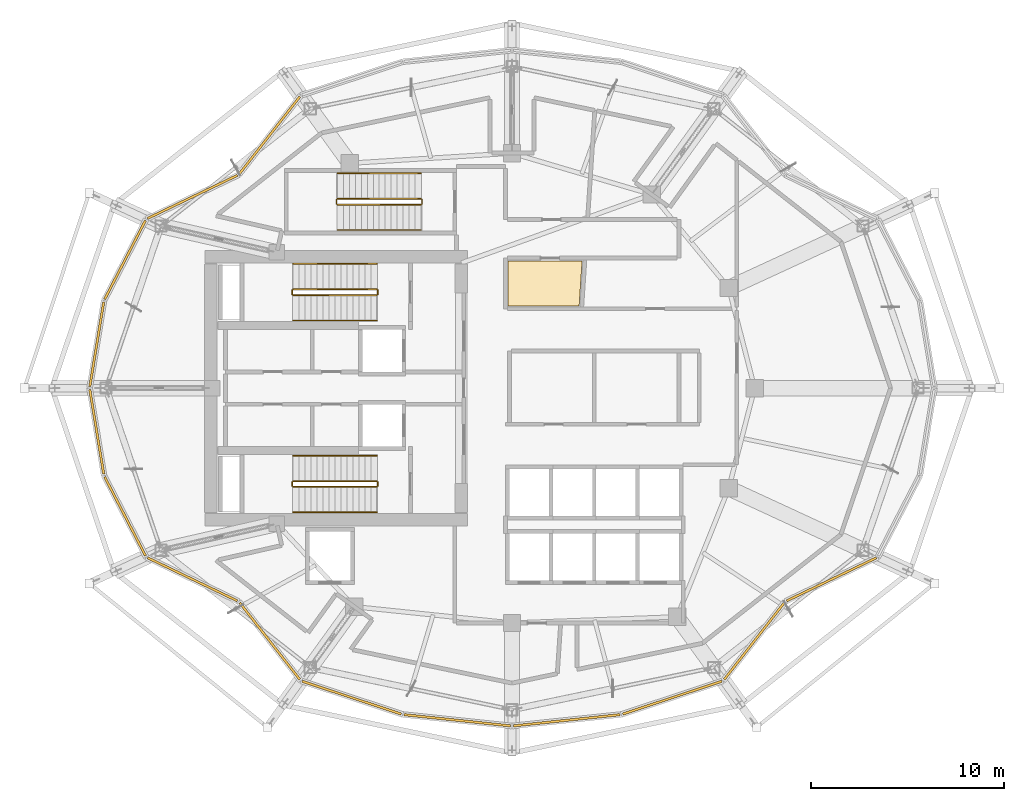
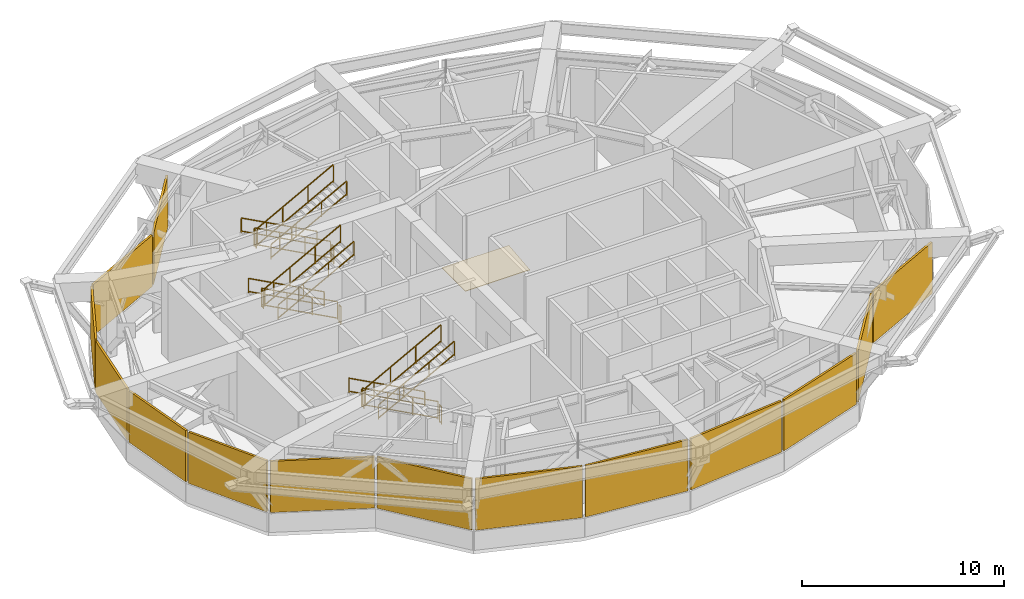
# One storey, part 12 of 13: 18 railings, 15 coverings.
"""IFC4 building model written with IfcOpenShell, lengths in metres."""

from ifc_helpers import new_model, si_unit, direction, frame, origin, origin_2d, place, context, subcontext, project, spatial, polyline, rectangle, outline, extrude, material, layer, layer_set, type_object, element, save


model = new_model("IFC4")

# Units and contexts
model_context = context("Model", 3, precision=1e-05, world=origin(), true_north=direction((0.0, 1.0)))
body_context = subcontext(model_context, "Body", "Model", "MODEL_VIEW")
ifc_project = project(units=[si_unit("LENGTHUNIT", "METRE"), si_unit("AREAUNIT", "SQUARE_METRE"), si_unit("VOLUMEUNIT", "CUBIC_METRE"), si_unit("PLANEANGLEUNIT", "RADIAN"), si_unit("MASSUNIT", "GRAM", prefix="KILO")], contexts=[model_context])

# Site, building, storey
site_placement = place(None, origin())
site = spatial("IfcSite", under=ifc_project, at=site_placement, CompositionType="ELEMENT")
building_placement = place(site_placement, origin())
building = spatial("IfcBuilding", under=site, at=building_placement, Name="Kolvaren Gate Tower and Convention Centre", CompositionType="ELEMENT")
storey_placement = place(building_placement, frame((0.0, 0.0, 186.89990234375)))
storey = spatial("IfcBuildingStorey", under=building, at=storey_placement, Name="L49", CompositionType="ELEMENT", Elevation=186.89990234375)

# Coverings
ifc_material_1 = material(Name="Honed Sabana Limestone Terrazzo Flooring 30 mm", Category="masonry")
ifc_layer_1 = layer(ifc_material_1, 0.030029296875)
ifc_layer_set_1 = layer_set([ifc_layer_1], Name="Honed Sabana Limestone Terrazzo Flooring 30 mm")
covering_type_1 = type_object("IfcCoveringType", Name="ARCH-COV-FLR-30", PredefinedType="FLOORING", material=ifc_layer_set_1)
covering_1_placement = place(storey_placement, origin())
element("IfcCovering", 1, at=covering_1_placement, inside=storey, type_object=covering_type_1, Name="Zone Domestic and Hydronic Booster Pump Plant Interior Finish Flooring", PredefinedType="FLOORING", context=body_context, shape_type="SweptSolid", body=[
    extrude(outline(polyline([(29.919921875, 31.260009765625), (29.919921875, 33.610107421875), (33.76708984375, 33.610107421875), (33.610107421875, 31.260009765625), (29.919921875, 31.260009765625)])), origin(), (0.0, 0.0, 1.0), 0.030029296875),
])
ifc_material_2 = material(Name="Honed Warm Andean Limestone Rainscreen Cladding 120 mm", Category="masonry")
ifc_layer_2 = layer(ifc_material_2, 0.1201171875)
ifc_layer_set_2 = layer_set([ifc_layer_2], Name="Honed Warm Andean Limestone Rainscreen Cladding 120 mm")
covering_type_2 = type_object("IfcCoveringType", Name="ARCH-COV-LOUVRE", PredefinedType="CLADDING", material=ifc_layer_set_2)
covering_2_placement = place(storey_placement, frame((17.54638671875, 40.142333984375, 1.14013671875), z_axis=(0.0, 0.0, 1.0), x_axis=(0.616446487588, 0.787396804629, 0.0)))
element("IfcCovering", 2, at=covering_2_placement, inside=storey, type_object=covering_type_2, Name="Plant Floor L49 Honed Limestone Rainscreen Cladding LV-08", PredefinedType="CLADDING", context=body_context, shape_type="SweptSolid", body=[
    extrude(rectangle(XDim=5.063232421875, YDim=0.1201171875, at=origin_2d()), origin(), (0.0, 0.0, 1.0), 3.10302734375),
])
covering_3_placement = place(storey_placement, frame((13.531494140625, 36.930419921875, 1.14013671875), z_axis=(0.0, 0.0, 1.0), x_axis=(0.901358389955, 0.433073957723, 0.0)))
element("IfcCovering", 3, at=covering_3_placement, inside=storey, type_object=covering_type_2, Name="Plant Floor L49 Honed Limestone Rainscreen Cladding LV-09", PredefinedType="CLADDING", context=body_context, shape_type="SweptSolid", body=[
    extrude(rectangle(XDim=5.17626953125, YDim=0.1201171875, at=origin_2d()), origin(), (0.0, 0.0, 1.0), 3.10302734375),
])
covering_4_placement = place(storey_placement, frame((10.03076171875, 33.65869140625, 1.14013671875), z_axis=(0.0, 0.0, 1.0), x_axis=(0.459798409467, 0.888023323259, 0.0)))
element("IfcCovering", 4, at=covering_4_placement, inside=storey, type_object=covering_type_2, Name="Plant Floor L49 Honed Limestone Rainscreen Cladding LV-10", PredefinedType="CLADDING", context=body_context, shape_type="SweptSolid", body=[
    extrude(rectangle(XDim=4.6064453125, YDim=0.1201171875, at=origin_2d()), origin(), (0.0, 0.0, 1.0), 3.10302734375),
])
for number, where, z_axis, x_axis, name in (
    (5, (8.561279296875, 29.27099609375, 1.14013671875), (0.0, 0.0, 1.0), (0.162380568014, 0.986728205298, 0.0), "Plant Floor L49 Honed Limestone Rainscreen Cladding LV-11"),
    (6, (8.561279296875, 24.72900390625, 1.14013671875), (0.0, 0.0, 1.0), (0.162380568014, -0.986728205298, 0.0), "Plant Floor L49 Honed Limestone Rainscreen Cladding LV-12"),
):
    element("IfcCovering", number, at=place(storey_placement, frame(where, z_axis=z_axis, x_axis=x_axis)), inside=storey, type_object=covering_type_2, Name=name, PredefinedType="CLADDING", context=body_context, shape_type="SweptSolid", body=[
        extrude(rectangle(XDim=4.443359375, YDim=0.1201171875, at=origin_2d()), origin(), (0.0, 0.0, 1.0), 3.10302734375),
    ])
covering_5_placement = place(storey_placement, frame((10.03076171875, 20.34130859375, 1.14013671875), z_axis=(0.0, 0.0, 1.0), x_axis=(0.459798409467, -0.888023323259, 0.0)))
element("IfcCovering", 7, at=covering_5_placement, inside=storey, type_object=covering_type_2, Name="Plant Floor L49 Honed Limestone Rainscreen Cladding LV-13", PredefinedType="CLADDING", context=body_context, shape_type="SweptSolid", body=[
    extrude(rectangle(XDim=4.6064453125, YDim=0.1201171875, at=origin_2d()), origin(), (0.0, 0.0, 1.0), 3.10302734375),
])
covering_6_placement = place(storey_placement, frame((13.531494140625, 17.069580078125, 1.14013671875), z_axis=(0.0, 0.0, 1.0), x_axis=(0.901358389955, -0.433073957723, 0.0)))
element("IfcCovering", 8, at=covering_6_placement, inside=storey, type_object=covering_type_2, Name="Plant Floor L49 Honed Limestone Rainscreen Cladding LV-14", PredefinedType="CLADDING", context=body_context, shape_type="SweptSolid", body=[
    extrude(rectangle(XDim=5.17626953125, YDim=0.1201171875, at=origin_2d()), origin(), (0.0, 0.0, 1.0), 3.10302734375),
])
covering_7_placement = place(storey_placement, frame((17.54638671875, 13.857666015625, 1.14013671875), z_axis=(0.0, 0.0, 1.0), x_axis=(0.616434119112, -0.787406487651, 0.0)))
element("IfcCovering", 9, at=covering_7_placement, inside=storey, type_object=covering_type_2, Name="Plant Floor L49 Honed Limestone Rainscreen Cladding LV-15", PredefinedType="CLADDING", context=body_context, shape_type="SweptSolid", body=[
    extrude(rectangle(XDim=5.06298828125, YDim=0.1201171875, at=origin_2d()), origin(), (0.0, 0.0, 1.0), 3.10302734375),
])
covering_8_placement = place(storey_placement, frame((21.8017578125, 10.924560546875, 1.14013671875), z_axis=(0.0, 0.0, 1.0), x_axis=(0.949239532616, -0.314554144335, 0.0)))
element("IfcCovering", 10, at=covering_8_placement, inside=storey, type_object=covering_type_2, Name="Plant Floor L49 Honed Limestone Rainscreen Cladding LV-16", PredefinedType="CLADDING", context=body_context, shape_type="SweptSolid", body=[
    extrude(rectangle(XDim=5.413818359375, YDim=0.1201171875, at=origin_2d()), origin(), (0.0, 0.0, 1.0), 3.10302734375),
])
for number, where, z_axis, x_axis, name in (
    (11, (27.2861328125, 9.7490234375, 1.14013671875), (0.0, 0.0, 1.0), (0.994499249941, -0.104743696069, 0.0), "Plant Floor L49 Honed Limestone Rainscreen Cladding LV-17"),
    (12, (32.9638671875, 9.7490234375, 1.14013671875), (0.0, 0.0, 1.0), (0.994499249941, 0.104743696069, 0.0), "Plant Floor L49 Honed Limestone Rainscreen Cladding LV-18"),
):
    element("IfcCovering", number, at=place(storey_placement, frame(where, z_axis=z_axis, x_axis=x_axis)), inside=storey, type_object=covering_type_2, Name=name, PredefinedType="CLADDING", context=body_context, shape_type="SweptSolid", body=[
        extrude(rectangle(XDim=5.54931640625, YDim=0.1201171875, at=origin_2d()), origin(), (0.0, 0.0, 1.0), 3.10302734375),
    ])
covering_9_placement = place(storey_placement, frame((38.4482421875, 10.924560546875, 1.14013671875), z_axis=(0.0, 0.0, 1.0), x_axis=(0.949239532616, 0.314554144335, 0.0)))
element("IfcCovering", 13, at=covering_9_placement, inside=storey, type_object=covering_type_2, Name="Plant Floor L49 Honed Limestone Rainscreen Cladding LV-19", PredefinedType="CLADDING", context=body_context, shape_type="SweptSolid", body=[
    extrude(rectangle(XDim=5.413818359375, YDim=0.1201171875, at=origin_2d()), origin(), (0.0, 0.0, 1.0), 3.10302734375),
])
covering_10_placement = place(storey_placement, frame((42.70361328125, 13.857666015625, 1.14013671875), z_axis=(0.0, 0.0, 1.0), x_axis=(0.616434119112, 0.787406487651, 0.0)))
element("IfcCovering", 14, at=covering_10_placement, inside=storey, type_object=covering_type_2, Name="Plant Floor L49 Honed Limestone Rainscreen Cladding LV-20", PredefinedType="CLADDING", context=body_context, shape_type="SweptSolid", body=[
    extrude(rectangle(XDim=5.06298828125, YDim=0.1201171875, at=origin_2d()), origin(), (0.0, 0.0, 1.0), 3.10302734375),
])
covering_11_placement = place(storey_placement, frame((46.718505859375, 17.069580078125, 1.14013671875), z_axis=(0.0, 0.0, 1.0), x_axis=(0.901358389955, 0.433073957723, 0.0)))
element("IfcCovering", 15, at=covering_11_placement, inside=storey, type_object=covering_type_2, Name="Plant Floor L49 Honed Limestone Rainscreen Cladding LV-21", PredefinedType="CLADDING", context=body_context, shape_type="SweptSolid", body=[
    extrude(rectangle(XDim=5.17626953125, YDim=0.1201171875, at=origin_2d()), origin(), (0.0, 0.0, 1.0), 3.10302734375),
])

# Railings
ifc_material_3 = material(Name="Brushed Stainless Steel Grade 316L", Category="steel")
railing_type_1 = type_object("IfcRailingType", Name="ARCH-RL-GUARD-1150", PredefinedType="GUARDRAIL", material=ifc_material_3)
railing_1_placement = place(storey_placement, frame((23.10009765625, 32.1298828125, 0.166748046875)))
element("IfcRailing", 16, at=railing_1_placement, inside=storey, type_object=railing_type_1, Name="L49 ST-T1 stair guard 1", PredefinedType="GUARDRAIL", context=body_context, shape_type="SweptSolid", body=[
    extrude(rectangle(XDim=0.048095703125, YDim=0.048095703125, at=origin_2d()), frame((0.0, 0.0, 1.076171875), z_axis=(-0.880785911426, 0.0, 0.473514707515), x_axis=(0.0, -1.0, 0.0)), (0.0, 0.0, 1.0), 4.927490234375),
    extrude(rectangle(XDim=0.048095703125, YDim=0.048095703125, at=origin_2d()), frame((0.0, 0.0, 0.083984375), z_axis=(-0.880785911426, 0.0, 0.473514707515), x_axis=(0.0, -1.0, 0.0)), (0.0, 0.0, 1.0), 4.927490234375),
    extrude(rectangle(XDim=0.0419921875, YDim=0.0419921875, at=origin_2d()), origin(), (0.0, 0.0, 1.0), 1.050048828125),
    extrude(rectangle(XDim=0.0419921875, YDim=0.0419921875, at=origin_2d()), frame((-4.340087890625, 0.0, 2.333251953125)), (0.0, 0.0, 1.0), 1.050048828125),
    extrude(rectangle(XDim=0.0419921875, YDim=0.0419921875, at=origin_2d()), frame((-1.44677734375, 0.0, 0.77783203125)), (0.0, 0.0, 1.0), 1.050048828125),
    extrude(rectangle(XDim=0.0419921875, YDim=0.0419921875, at=origin_2d()), frame((-2.893310546875, 0.0, 1.555419921875)), (0.0, 0.0, 1.0), 1.050048828125),
])
railing_2_placement = place(storey_placement, frame((18.7099609375, 32.080078125, 2.5)))
element("IfcRailing", 17, at=railing_2_placement, inside=storey, type_object=railing_type_1, Name="L49 ST-T1 stair guard 2", PredefinedType="GUARDRAIL", context=body_context, shape_type="SweptSolid", body=[
    extrude(rectangle(XDim=0.048095703125, YDim=0.048095703125, at=origin_2d()), frame((0.0, 0.0, 1.076171875), z_axis=(0.0, -1.0, 0.0), x_axis=(1.0, 0.0, 0.0)), (0.0, 0.0, 1.0), 0.2001953125),
    extrude(rectangle(XDim=0.048095703125, YDim=0.048095703125, at=origin_2d()), frame((0.0, 0.0, 0.083984375), z_axis=(0.0, -1.0, 0.0), x_axis=(1.0, 0.0, 0.0)), (0.0, 0.0, 1.0), 0.2001953125),
    extrude(rectangle(XDim=0.0419921875, YDim=0.0419921875, at=origin_2d()), origin(), (0.0, 0.0, 1.0), 1.050048828125),
    extrude(rectangle(XDim=0.0419921875, YDim=0.0419921875, at=origin_2d()), frame((0.0, -0.2001953125, 0.0)), (0.0, 0.0, 1.0), 1.050048828125),
])
railing_3_placement = place(storey_placement, frame((18.760009765625, 31.830078125, 2.666748046875)))
element("IfcRailing", 18, at=railing_3_placement, inside=storey, type_object=railing_type_1, Name="L49 ST-T1 stair guard 3", PredefinedType="GUARDRAIL", context=body_context, shape_type="SweptSolid", body=[
    extrude(rectangle(XDim=0.048095703125, YDim=0.048095703125, at=origin_2d()), frame((0.0, 0.0, 1.076171875), z_axis=(0.880785911426, 0.0, 0.473514707515), x_axis=(0.0, 1.0, 0.0)), (0.0, 0.0, 1.0), 4.927490234375),
    extrude(rectangle(XDim=0.048095703125, YDim=0.048095703125, at=origin_2d()), frame((0.0, 0.0, 0.083984375), z_axis=(0.880785911426, 0.0, 0.473514707515), x_axis=(0.0, 1.0, 0.0)), (0.0, 0.0, 1.0), 4.927490234375),
    extrude(rectangle(XDim=0.0419921875, YDim=0.0419921875, at=origin_2d()), origin(), (0.0, 0.0, 1.0), 1.050048828125),
    extrude(rectangle(XDim=0.0419921875, YDim=0.0419921875, at=origin_2d()), frame((4.340087890625, 0.0, 2.333251953125)), (0.0, 0.0, 1.0), 1.050048828125),
    extrude(rectangle(XDim=0.0419921875, YDim=0.0419921875, at=origin_2d()), frame((1.44677734375, 0.0, 0.77783203125)), (0.0, 0.0, 1.0), 1.050048828125),
    extrude(rectangle(XDim=0.0419921875, YDim=0.0419921875, at=origin_2d()), frame((2.893310546875, 0.0, 1.555419921875)), (0.0, 0.0, 1.0), 1.050048828125),
])
railing_4_placement = place(storey_placement, frame((23.14990234375, 32.080078125, 0.0)))
element("IfcRailing", 19, at=railing_4_placement, inside=storey, type_object=railing_type_1, Name="L49 ST-T1 stair guard 4", PredefinedType="GUARDRAIL", context=body_context, shape_type="SweptSolid", body=[
    extrude(rectangle(XDim=0.048095703125, YDim=0.048095703125, at=origin_2d()), frame((0.0, 0.0, 1.076171875), z_axis=(0.0, -1.0, 0.0), x_axis=(1.0, 0.0, 0.0)), (0.0, 0.0, 1.0), 0.2001953125),
    extrude(rectangle(XDim=0.048095703125, YDim=0.048095703125, at=origin_2d()), frame((0.0, 0.0, 0.083984375), z_axis=(0.0, -1.0, 0.0), x_axis=(1.0, 0.0, 0.0)), (0.0, 0.0, 1.0), 0.2001953125),
    extrude(rectangle(XDim=0.0419921875, YDim=0.0419921875, at=origin_2d()), origin(), (0.0, 0.0, 1.0), 1.050048828125),
    extrude(rectangle(XDim=0.0419921875, YDim=0.0419921875, at=origin_2d()), frame((0.0, -0.2001953125, 0.0)), (0.0, 0.0, 1.0), 1.050048828125),
])
railing_5_placement = place(storey_placement, frame((23.10009765625, 22.169921875, 0.166748046875)))
element("IfcRailing", 20, at=railing_5_placement, inside=storey, type_object=railing_type_1, Name="L49 ST-T2 stair guard 1", PredefinedType="GUARDRAIL", context=body_context, shape_type="SweptSolid", body=[
    extrude(rectangle(XDim=0.048095703125, YDim=0.048095703125, at=origin_2d()), frame((0.0, 0.0, 1.076171875), z_axis=(-0.880785911426, 0.0, 0.473514707515), x_axis=(0.0, -1.0, 0.0)), (0.0, 0.0, 1.0), 4.927490234375),
    extrude(rectangle(XDim=0.048095703125, YDim=0.048095703125, at=origin_2d()), frame((0.0, 0.0, 0.083984375), z_axis=(-0.880785911426, 0.0, 0.473514707515), x_axis=(0.0, -1.0, 0.0)), (0.0, 0.0, 1.0), 4.927490234375),
    extrude(rectangle(XDim=0.0419921875, YDim=0.0419921875, at=origin_2d()), origin(), (0.0, 0.0, 1.0), 1.050048828125),
    extrude(rectangle(XDim=0.0419921875, YDim=0.0419921875, at=origin_2d()), frame((-4.340087890625, 0.0, 2.333251953125)), (0.0, 0.0, 1.0), 1.050048828125),
    extrude(rectangle(XDim=0.0419921875, YDim=0.0419921875, at=origin_2d()), frame((-1.44677734375, 0.0, 0.77783203125)), (0.0, 0.0, 1.0), 1.050048828125),
    extrude(rectangle(XDim=0.0419921875, YDim=0.0419921875, at=origin_2d()), frame((-2.893310546875, 0.0, 1.555419921875)), (0.0, 0.0, 1.0), 1.050048828125),
])
railing_6_placement = place(storey_placement, frame((18.7099609375, 22.1201171875, 2.5)))
element("IfcRailing", 21, at=railing_6_placement, inside=storey, type_object=railing_type_1, Name="L49 ST-T2 stair guard 2", PredefinedType="GUARDRAIL", context=body_context, shape_type="SweptSolid", body=[
    extrude(rectangle(XDim=0.048095703125, YDim=0.048095703125, at=origin_2d()), frame((0.0, 0.0, 1.076171875), z_axis=(0.0, -1.0, 0.0), x_axis=(1.0, 0.0, 0.0)), (0.0, 0.0, 1.0), 0.2001953125),
    extrude(rectangle(XDim=0.048095703125, YDim=0.048095703125, at=origin_2d()), frame((0.0, 0.0, 0.083984375), z_axis=(0.0, -1.0, 0.0), x_axis=(1.0, 0.0, 0.0)), (0.0, 0.0, 1.0), 0.2001953125),
    extrude(rectangle(XDim=0.0419921875, YDim=0.0419921875, at=origin_2d()), origin(), (0.0, 0.0, 1.0), 1.050048828125),
    extrude(rectangle(XDim=0.0419921875, YDim=0.0419921875, at=origin_2d()), frame((0.0, -0.2001953125, 0.0)), (0.0, 0.0, 1.0), 1.050048828125),
])
railing_7_placement = place(storey_placement, frame((18.760009765625, 21.8701171875, 2.666748046875)))
element("IfcRailing", 22, at=railing_7_placement, inside=storey, type_object=railing_type_1, Name="L49 ST-T2 stair guard 3", PredefinedType="GUARDRAIL", context=body_context, shape_type="SweptSolid", body=[
    extrude(rectangle(XDim=0.048095703125, YDim=0.048095703125, at=origin_2d()), frame((0.0, 0.0, 1.076171875), z_axis=(0.880785911426, 0.0, 0.473514707515), x_axis=(0.0, 1.0, 0.0)), (0.0, 0.0, 1.0), 4.927490234375),
    extrude(rectangle(XDim=0.048095703125, YDim=0.048095703125, at=origin_2d()), frame((0.0, 0.0, 0.083984375), z_axis=(0.880785911426, 0.0, 0.473514707515), x_axis=(0.0, 1.0, 0.0)), (0.0, 0.0, 1.0), 4.927490234375),
    extrude(rectangle(XDim=0.0419921875, YDim=0.0419921875, at=origin_2d()), origin(), (0.0, 0.0, 1.0), 1.050048828125),
    extrude(rectangle(XDim=0.0419921875, YDim=0.0419921875, at=origin_2d()), frame((4.340087890625, 0.0, 2.333251953125)), (0.0, 0.0, 1.0), 1.050048828125),
    extrude(rectangle(XDim=0.0419921875, YDim=0.0419921875, at=origin_2d()), frame((1.44677734375, 0.0, 0.77783203125)), (0.0, 0.0, 1.0), 1.050048828125),
    extrude(rectangle(XDim=0.0419921875, YDim=0.0419921875, at=origin_2d()), frame((2.893310546875, 0.0, 1.555419921875)), (0.0, 0.0, 1.0), 1.050048828125),
])
railing_8_placement = place(storey_placement, frame((23.14990234375, 22.1201171875, 0.0)))
element("IfcRailing", 23, at=railing_8_placement, inside=storey, type_object=railing_type_1, Name="L49 ST-T2 stair guard 4", PredefinedType="GUARDRAIL", context=body_context, shape_type="SweptSolid", body=[
    extrude(rectangle(XDim=0.048095703125, YDim=0.048095703125, at=origin_2d()), frame((0.0, 0.0, 1.076171875), z_axis=(0.0, -1.0, 0.0), x_axis=(1.0, 0.0, 0.0)), (0.0, 0.0, 1.0), 0.2001953125),
    extrude(rectangle(XDim=0.048095703125, YDim=0.048095703125, at=origin_2d()), frame((0.0, 0.0, 0.083984375), z_axis=(0.0, -1.0, 0.0), x_axis=(1.0, 0.0, 0.0)), (0.0, 0.0, 1.0), 0.2001953125),
    extrude(rectangle(XDim=0.0419921875, YDim=0.0419921875, at=origin_2d()), origin(), (0.0, 0.0, 1.0), 1.050048828125),
    extrude(rectangle(XDim=0.0419921875, YDim=0.0419921875, at=origin_2d()), frame((0.0, -0.2001953125, 0.0)), (0.0, 0.0, 1.0), 1.050048828125),
])
railing_9_placement = place(storey_placement, frame((25.39990234375, 36.830078125, 0.166748046875)))
element("IfcRailing", 24, at=railing_9_placement, inside=storey, type_object=railing_type_1, Name="L49 ST-T3 stair guard 1", PredefinedType="GUARDRAIL", context=body_context, shape_type="SweptSolid", body=[
    extrude(rectangle(XDim=0.048095703125, YDim=0.048095703125, at=origin_2d()), frame((0.0, 0.0, 1.076171875), z_axis=(-0.8807748016, 0.0, 0.47353537235), x_axis=(0.0, -1.0, 0.0)), (0.0, 0.0, 1.0), 4.92724609375),
    extrude(rectangle(XDim=0.048095703125, YDim=0.048095703125, at=origin_2d()), frame((0.0, 0.0, 0.083984375), z_axis=(-0.8807748016, 0.0, 0.47353537235), x_axis=(0.0, -1.0, 0.0)), (0.0, 0.0, 1.0), 4.92724609375),
    extrude(rectangle(XDim=0.0419921875, YDim=0.0419921875, at=origin_2d()), origin(), (0.0, 0.0, 1.0), 1.050048828125),
    extrude(rectangle(XDim=0.0419921875, YDim=0.0419921875, at=origin_2d()), frame((-4.33984375, 0.0, 2.333251953125)), (0.0, 0.0, 1.0), 1.050048828125),
    extrude(rectangle(XDim=0.0419921875, YDim=0.0419921875, at=origin_2d()), frame((-1.446533203125, 0.0, 0.77783203125)), (0.0, 0.0, 1.0), 1.050048828125),
    extrude(rectangle(XDim=0.0419921875, YDim=0.0419921875, at=origin_2d()), frame((-2.893310546875, 0.0, 1.555419921875)), (0.0, 0.0, 1.0), 1.050048828125),
])
railing_10_placement = place(storey_placement, frame((21.010009765625, 36.780029296875, 2.5)))
element("IfcRailing", 25, at=railing_10_placement, inside=storey, type_object=railing_type_1, Name="L49 ST-T3 stair guard 2", PredefinedType="GUARDRAIL", context=body_context, shape_type="SweptSolid", body=[
    extrude(rectangle(XDim=0.048095703125, YDim=0.048095703125, at=origin_2d()), frame((0.0, 0.0, 1.076171875), z_axis=(0.0, -1.0, 0.0), x_axis=(1.0, 0.0, 0.0)), (0.0, 0.0, 1.0), 0.199951171875),
    extrude(rectangle(XDim=0.048095703125, YDim=0.048095703125, at=origin_2d()), frame((0.0, 0.0, 0.083984375), z_axis=(0.0, -1.0, 0.0), x_axis=(1.0, 0.0, 0.0)), (0.0, 0.0, 1.0), 0.199951171875),
    extrude(rectangle(XDim=0.0419921875, YDim=0.0419921875, at=origin_2d()), origin(), (0.0, 0.0, 1.0), 1.050048828125),
    extrude(rectangle(XDim=0.0419921875, YDim=0.0419921875, at=origin_2d()), frame((0.0, -0.199951171875, 0.0)), (0.0, 0.0, 1.0), 1.050048828125),
])
railing_11_placement = place(storey_placement, frame((21.06005859375, 36.530029296875, 2.666748046875)))
element("IfcRailing", 26, at=railing_11_placement, inside=storey, type_object=railing_type_1, Name="L49 ST-T3 stair guard 3", PredefinedType="GUARDRAIL", context=body_context, shape_type="SweptSolid", body=[
    extrude(rectangle(XDim=0.048095703125, YDim=0.048095703125, at=origin_2d()), frame((0.0, 0.0, 1.076171875), z_axis=(0.8807748016, 0.0, 0.47353537235), x_axis=(0.0, 1.0, 0.0)), (0.0, 0.0, 1.0), 4.92724609375),
    extrude(rectangle(XDim=0.048095703125, YDim=0.048095703125, at=origin_2d()), frame((0.0, 0.0, 0.083984375), z_axis=(0.8807748016, 0.0, 0.47353537235), x_axis=(0.0, 1.0, 0.0)), (0.0, 0.0, 1.0), 4.92724609375),
    extrude(rectangle(XDim=0.0419921875, YDim=0.0419921875, at=origin_2d()), origin(), (0.0, 0.0, 1.0), 1.050048828125),
    extrude(rectangle(XDim=0.0419921875, YDim=0.0419921875, at=origin_2d()), frame((4.33984375, 0.0, 2.333251953125)), (0.0, 0.0, 1.0), 1.050048828125),
    extrude(rectangle(XDim=0.0419921875, YDim=0.0419921875, at=origin_2d()), frame((1.446533203125, 0.0, 0.77783203125)), (0.0, 0.0, 1.0), 1.050048828125),
    extrude(rectangle(XDim=0.0419921875, YDim=0.0419921875, at=origin_2d()), frame((2.893310546875, 0.0, 1.555419921875)), (0.0, 0.0, 1.0), 1.050048828125),
])
railing_12_placement = place(storey_placement, frame((25.449951171875, 36.780029296875, 0.0)))
element("IfcRailing", 27, at=railing_12_placement, inside=storey, type_object=railing_type_1, Name="L49 ST-T3 stair guard 4", PredefinedType="GUARDRAIL", context=body_context, shape_type="SweptSolid", body=[
    extrude(rectangle(XDim=0.048095703125, YDim=0.048095703125, at=origin_2d()), frame((0.0, 0.0, 1.076171875), z_axis=(0.0, -1.0, 0.0), x_axis=(1.0, 0.0, 0.0)), (0.0, 0.0, 1.0), 0.199951171875),
    extrude(rectangle(XDim=0.048095703125, YDim=0.048095703125, at=origin_2d()), frame((0.0, 0.0, 0.083984375), z_axis=(0.0, -1.0, 0.0), x_axis=(1.0, 0.0, 0.0)), (0.0, 0.0, 1.0), 0.199951171875),
    extrude(rectangle(XDim=0.0419921875, YDim=0.0419921875, at=origin_2d()), origin(), (0.0, 0.0, 1.0), 1.050048828125),
    extrude(rectangle(XDim=0.0419921875, YDim=0.0419921875, at=origin_2d()), frame((0.0, -0.199951171875, 0.0)), (0.0, 0.0, 1.0), 1.050048828125),
])
railing_type_2 = type_object("IfcRailingType", Name="ARCH-RL-HANDRAIL-920", PredefinedType="HANDRAIL", material=ifc_material_3)
railing_13_placement = place(storey_placement, frame((23.10009765625, 33.449951171875, 0.166748046875)))
element("IfcRailing", 28, at=railing_13_placement, inside=storey, type_object=railing_type_2, Name="L49 ST-T1 stair handrail 1", PredefinedType="HANDRAIL", context=body_context, shape_type="SweptSolid", body=[
    extrude(rectangle(XDim=0.048095703125, YDim=0.048095703125, at=origin_2d()), frame((0.0, 0.0, 0.8759765625), z_axis=(-0.880785911426, 0.0, 0.473514707515), x_axis=(0.0, -1.0, 0.0)), (0.0, 0.0, 1.0), 4.927490234375),
    extrude(rectangle(XDim=0.048095703125, YDim=0.048095703125, at=origin_2d()), frame((0.0, 0.0, 0.083984375), z_axis=(-0.880785911426, 0.0, 0.473514707515), x_axis=(0.0, -1.0, 0.0)), (0.0, 0.0, 1.0), 4.927490234375),
    extrude(rectangle(XDim=0.0419921875, YDim=0.0419921875, at=origin_2d()), origin(), (0.0, 0.0, 1.0), 0.849853515625),
    extrude(rectangle(XDim=0.0419921875, YDim=0.0419921875, at=origin_2d()), frame((-4.340087890625, 0.0, 2.333251953125)), (0.0, 0.0, 1.0), 0.849853515625),
    extrude(rectangle(XDim=0.0419921875, YDim=0.0419921875, at=origin_2d()), frame((-1.44677734375, 0.0, 0.77783203125)), (0.0, 0.0, 1.0), 0.849853515625),
    extrude(rectangle(XDim=0.0419921875, YDim=0.0419921875, at=origin_2d()), frame((-2.893310546875, 0.0, 1.555419921875)), (0.0, 0.0, 1.0), 0.849853515625),
])
railing_14_placement = place(storey_placement, frame((18.760009765625, 30.510009765625, 2.666748046875)))
element("IfcRailing", 29, at=railing_14_placement, inside=storey, type_object=railing_type_2, Name="L49 ST-T1 stair handrail 2", PredefinedType="HANDRAIL", context=body_context, shape_type="SweptSolid", body=[
    extrude(rectangle(XDim=0.048095703125, YDim=0.048095703125, at=origin_2d()), frame((0.0, 0.0, 0.8759765625), z_axis=(0.880785911426, 0.0, 0.473514707515), x_axis=(0.0, 1.0, 0.0)), (0.0, 0.0, 1.0), 4.927490234375),
    extrude(rectangle(XDim=0.048095703125, YDim=0.048095703125, at=origin_2d()), frame((0.0, 0.0, 0.083984375), z_axis=(0.880785911426, 0.0, 0.473514707515), x_axis=(0.0, 1.0, 0.0)), (0.0, 0.0, 1.0), 4.927490234375),
    extrude(rectangle(XDim=0.0419921875, YDim=0.0419921875, at=origin_2d()), origin(), (0.0, 0.0, 1.0), 0.849853515625),
    extrude(rectangle(XDim=0.0419921875, YDim=0.0419921875, at=origin_2d()), frame((4.340087890625, 0.0, 2.333251953125)), (0.0, 0.0, 1.0), 0.849853515625),
    extrude(rectangle(XDim=0.0419921875, YDim=0.0419921875, at=origin_2d()), frame((1.44677734375, 0.0, 0.77783203125)), (0.0, 0.0, 1.0), 0.849853515625),
    extrude(rectangle(XDim=0.0419921875, YDim=0.0419921875, at=origin_2d()), frame((2.893310546875, 0.0, 1.555419921875)), (0.0, 0.0, 1.0), 0.849853515625),
])
railing_15_placement = place(storey_placement, frame((23.10009765625, 23.489990234375, 0.166748046875)))
element("IfcRailing", 30, at=railing_15_placement, inside=storey, type_object=railing_type_2, Name="L49 ST-T2 stair handrail 1", PredefinedType="HANDRAIL", context=body_context, shape_type="SweptSolid", body=[
    extrude(rectangle(XDim=0.048095703125, YDim=0.048095703125, at=origin_2d()), frame((0.0, 0.0, 0.8759765625), z_axis=(-0.880785911426, 0.0, 0.473514707515), x_axis=(0.0, -1.0, 0.0)), (0.0, 0.0, 1.0), 4.927490234375),
    extrude(rectangle(XDim=0.048095703125, YDim=0.048095703125, at=origin_2d()), frame((0.0, 0.0, 0.083984375), z_axis=(-0.880785911426, 0.0, 0.473514707515), x_axis=(0.0, -1.0, 0.0)), (0.0, 0.0, 1.0), 4.927490234375),
    extrude(rectangle(XDim=0.0419921875, YDim=0.0419921875, at=origin_2d()), origin(), (0.0, 0.0, 1.0), 0.849853515625),
    extrude(rectangle(XDim=0.0419921875, YDim=0.0419921875, at=origin_2d()), frame((-4.340087890625, 0.0, 2.333251953125)), (0.0, 0.0, 1.0), 0.849853515625),
    extrude(rectangle(XDim=0.0419921875, YDim=0.0419921875, at=origin_2d()), frame((-1.44677734375, 0.0, 0.77783203125)), (0.0, 0.0, 1.0), 0.849853515625),
    extrude(rectangle(XDim=0.0419921875, YDim=0.0419921875, at=origin_2d()), frame((-2.893310546875, 0.0, 1.555419921875)), (0.0, 0.0, 1.0), 0.849853515625),
])
railing_16_placement = place(storey_placement, frame((18.760009765625, 20.550048828125, 2.666748046875)))
element("IfcRailing", 31, at=railing_16_placement, inside=storey, type_object=railing_type_2, Name="L49 ST-T2 stair handrail 2", PredefinedType="HANDRAIL", context=body_context, shape_type="SweptSolid", body=[
    extrude(rectangle(XDim=0.048095703125, YDim=0.048095703125, at=origin_2d()), frame((0.0, 0.0, 0.8759765625), z_axis=(0.880785911426, 0.0, 0.473514707515), x_axis=(0.0, 1.0, 0.0)), (0.0, 0.0, 1.0), 4.927490234375),
    extrude(rectangle(XDim=0.048095703125, YDim=0.048095703125, at=origin_2d()), frame((0.0, 0.0, 0.083984375), z_axis=(0.880785911426, 0.0, 0.473514707515), x_axis=(0.0, 1.0, 0.0)), (0.0, 0.0, 1.0), 4.927490234375),
    extrude(rectangle(XDim=0.0419921875, YDim=0.0419921875, at=origin_2d()), origin(), (0.0, 0.0, 1.0), 0.849853515625),
    extrude(rectangle(XDim=0.0419921875, YDim=0.0419921875, at=origin_2d()), frame((4.340087890625, 0.0, 2.333251953125)), (0.0, 0.0, 1.0), 0.849853515625),
    extrude(rectangle(XDim=0.0419921875, YDim=0.0419921875, at=origin_2d()), frame((1.44677734375, 0.0, 0.77783203125)), (0.0, 0.0, 1.0), 0.849853515625),
    extrude(rectangle(XDim=0.0419921875, YDim=0.0419921875, at=origin_2d()), frame((2.893310546875, 0.0, 1.555419921875)), (0.0, 0.0, 1.0), 0.849853515625),
])
railing_17_placement = place(storey_placement, frame((25.39990234375, 38.14990234375, 0.166748046875)))
element("IfcRailing", 32, at=railing_17_placement, inside=storey, type_object=railing_type_2, Name="L49 ST-T3 stair handrail 1", PredefinedType="HANDRAIL", context=body_context, shape_type="SweptSolid", body=[
    extrude(rectangle(XDim=0.048095703125, YDim=0.048095703125, at=origin_2d()), frame((0.0, 0.0, 0.8759765625), z_axis=(-0.8807748016, 0.0, 0.47353537235), x_axis=(0.0, -1.0, 0.0)), (0.0, 0.0, 1.0), 4.92724609375),
    extrude(rectangle(XDim=0.048095703125, YDim=0.048095703125, at=origin_2d()), frame((0.0, 0.0, 0.083984375), z_axis=(-0.8807748016, 0.0, 0.47353537235), x_axis=(0.0, -1.0, 0.0)), (0.0, 0.0, 1.0), 4.92724609375),
    extrude(rectangle(XDim=0.0419921875, YDim=0.0419921875, at=origin_2d()), origin(), (0.0, 0.0, 1.0), 0.849853515625),
    extrude(rectangle(XDim=0.0419921875, YDim=0.0419921875, at=origin_2d()), frame((-4.33984375, 0.0, 2.333251953125)), (0.0, 0.0, 1.0), 0.849853515625),
    extrude(rectangle(XDim=0.0419921875, YDim=0.0419921875, at=origin_2d()), frame((-1.446533203125, 0.0, 0.77783203125)), (0.0, 0.0, 1.0), 0.849853515625),
    extrude(rectangle(XDim=0.0419921875, YDim=0.0419921875, at=origin_2d()), frame((-2.893310546875, 0.0, 1.555419921875)), (0.0, 0.0, 1.0), 0.849853515625),
])
railing_18_placement = place(storey_placement, frame((21.06005859375, 35.2099609375, 2.666748046875)))
element("IfcRailing", 33, at=railing_18_placement, inside=storey, type_object=railing_type_2, Name="L49 ST-T3 stair handrail 2", PredefinedType="HANDRAIL", context=body_context, shape_type="SweptSolid", body=[
    extrude(rectangle(XDim=0.048095703125, YDim=0.048095703125, at=origin_2d()), frame((0.0, 0.0, 0.8759765625), z_axis=(0.8807748016, 0.0, 0.47353537235), x_axis=(0.0, 1.0, 0.0)), (0.0, 0.0, 1.0), 4.92724609375),
    extrude(rectangle(XDim=0.048095703125, YDim=0.048095703125, at=origin_2d()), frame((0.0, 0.0, 0.083984375), z_axis=(0.8807748016, 0.0, 0.47353537235), x_axis=(0.0, 1.0, 0.0)), (0.0, 0.0, 1.0), 4.92724609375),
    extrude(rectangle(XDim=0.0419921875, YDim=0.0419921875, at=origin_2d()), origin(), (0.0, 0.0, 1.0), 0.849853515625),
    extrude(rectangle(XDim=0.0419921875, YDim=0.0419921875, at=origin_2d()), frame((4.33984375, 0.0, 2.333251953125)), (0.0, 0.0, 1.0), 0.849853515625),
    extrude(rectangle(XDim=0.0419921875, YDim=0.0419921875, at=origin_2d()), frame((1.446533203125, 0.0, 0.77783203125)), (0.0, 0.0, 1.0), 0.849853515625),
    extrude(rectangle(XDim=0.0419921875, YDim=0.0419921875, at=origin_2d()), frame((2.893310546875, 0.0, 1.555419921875)), (0.0, 0.0, 1.0), 0.849853515625),
])

save(model, "model.ifc")
